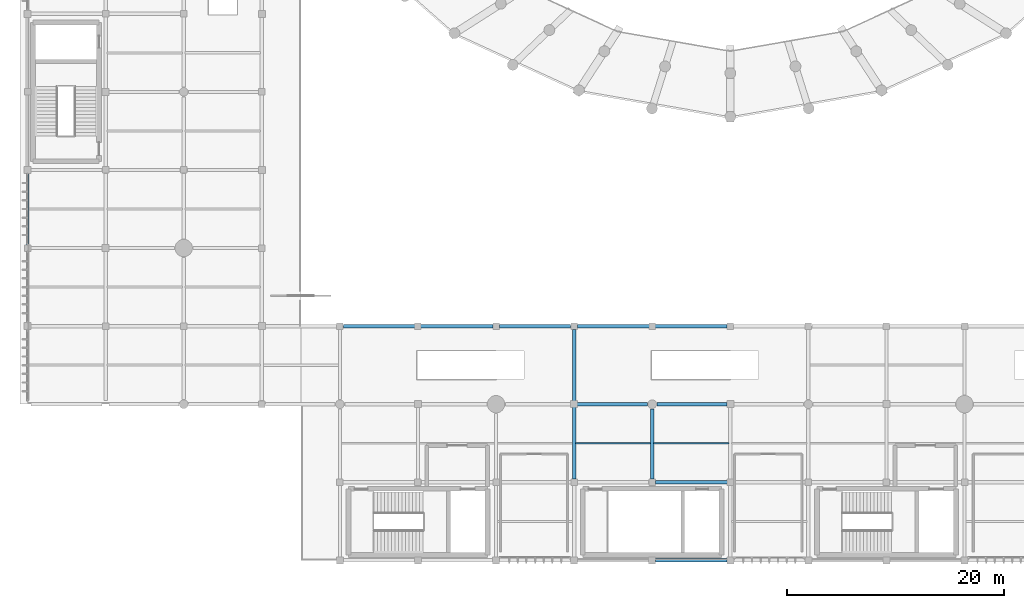
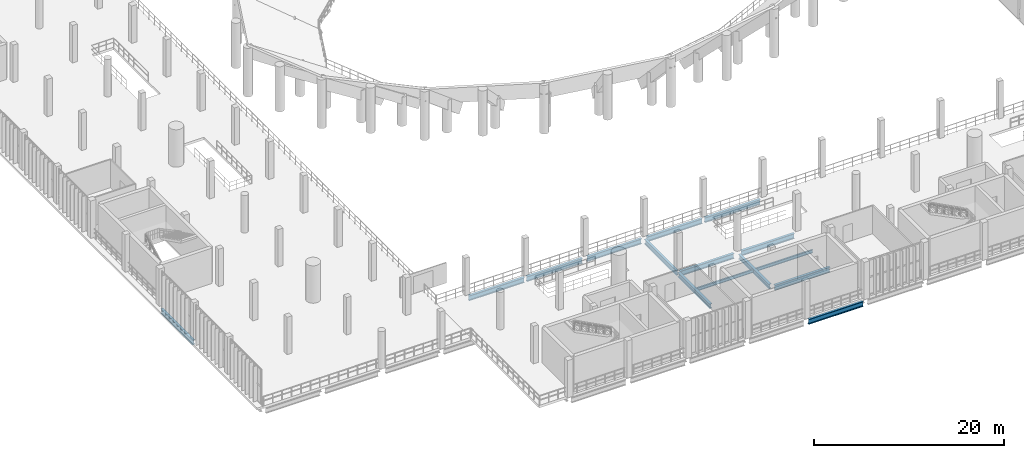
# One storey, part 12 of 105: 15 beams.
"""IFC4 building model written with IfcOpenShell, lengths in metres."""

import ifcopenshell
import ifcopenshell.guid

model = None  # the IFC model being written
_history = None  # IfcOwnerHistory: only IFC2X3 demands one
_inside = {}  # id of a spatial element -> (the spatial element, [elements in it])
_under = {}  # id of a project, library or spatial element -> (it, [spatial elements below it])
_declared = {}  # id of a project -> (the project, [libraries it declares])
_typed = {}  # id of a type object -> (the type object, [elements of that type])
_made_of = {}  # id of a material, layer set ... -> (it, [elements and type objects made of it])


def new_model(schema):
    """Start an empty IFC model of exactly this schema.

    Asked for "IFC4X3", IfcOpenShell would pick the latest addendum, in which some entities
    have other attributes; the version numbers below select the first issue.
    IFC2X3 requires an IfcOwnerHistory on every rooted entity: one is made here for all.
    """
    global model, _history
    if schema == "IFC4X3":
        model = ifcopenshell.file(schema_version=(4, 3, 0, 0))
    else:
        model = ifcopenshell.file(schema=schema)
    _inside.clear()
    _under.clear()
    _declared.clear()
    _typed.clear()
    _made_of.clear()
    _history = None
    if model.schema == "IFC2X3":
        org = make("IfcOrganization", Name="unknown")
        user = make(
            "IfcPersonAndOrganization",
            ThePerson=make("IfcPerson", FamilyName="unknown"),
            TheOrganization=org,
        )
        app = make(
            "IfcApplication",
            ApplicationDeveloper=org,
            Version="unknown",
            ApplicationFullName="unknown",
            ApplicationIdentifier="unknown",
        )
        _history = make(
            "IfcOwnerHistory",
            OwningUser=user,
            OwningApplication=app,
            ChangeAction="ADDED",
            CreationDate=0,
        )
    return model


def make(cls, **values):
    """One entity of the class cls with the attributes given. An attribute that is None is left unset."""
    return model.create_entity(
        cls, **{name: value for name, value in values.items() if value is not None}
    )


def rooted(cls, **values):
    """An entity with a GlobalId (a new one), such as an element, a storey or a relation."""
    return make(cls, GlobalId=ifcopenshell.guid.new(), OwnerHistory=_history, **values)


def si_unit(unit_type, name, prefix=None):
    """IfcSIUnit, for example si_unit("LENGTHUNIT", "METRE", prefix="MILLI")."""
    return make("IfcSIUnit", UnitType=unit_type, Prefix=prefix, Name=name)


def assignment(units):
    """IfcUnitAssignment: the units of a project."""
    return None if units is None else make("IfcUnitAssignment", Units=units)


def point(xyz):
    """IfcCartesianPoint."""
    return None if xyz is None else make("IfcCartesianPoint", Coordinates=xyz)


def direction(xyz):
    """IfcDirection."""
    return None if xyz is None else make("IfcDirection", DirectionRatios=xyz)


def frame(location, z_axis=None, x_axis=None):
    """IfcAxis2Placement3D, a coordinate frame: its origin and axes. An axis left out is left unset."""
    return make(
        "IfcAxis2Placement3D",
        Location=point(location),
        Axis=direction(z_axis),
        RefDirection=direction(x_axis),
    )


def frame_2d(location, x_axis=None):
    """IfcAxis2Placement2D, a coordinate frame in the plane: its origin and x axis."""
    return make(
        "IfcAxis2Placement2D", Location=point(location), RefDirection=direction(x_axis)
    )


def origin():
    """The frame at (0, 0, 0) with its axes left unset."""
    return frame((0.0, 0.0, 0.0))


def origin_2d():
    """The frame at (0, 0) in the plane with its x axis left unset."""
    return frame_2d((0.0, 0.0))


def place(relative_to, where):
    """IfcLocalPlacement: puts the frame where relative to a parent placement (None: the world)."""
    return make(
        "IfcLocalPlacement", PlacementRelTo=relative_to, RelativePlacement=where
    )


def context(
    kind, dimensions, precision=None, world=None, true_north=None, identifier=None
):
    """IfcGeometricRepresentationContext, for example the 3D "Model" context."""
    return make(
        "IfcGeometricRepresentationContext",
        ContextIdentifier=identifier,
        ContextType=kind,
        CoordinateSpaceDimension=dimensions,
        Precision=precision,
        WorldCoordinateSystem=world,
        TrueNorth=true_north,
    )


def subcontext(parent, identifier, kind, view, scale=None):
    """IfcGeometricRepresentationSubContext, for example "Body" below "Model"."""
    return make(
        "IfcGeometricRepresentationSubContext",
        ContextIdentifier=identifier,
        ContextType=kind,
        ParentContext=parent,
        TargetScale=scale,
        TargetView=view,
    )


def project(units=None, contexts=None):
    """IfcProject with its units and contexts."""
    return rooted(
        "IfcProject",
        Name="project",
        RepresentationContexts=contexts,
        UnitsInContext=assignment(units),
    )


def spatial(cls, under=None, at=None, **own):
    """A site, building, storey or space (cls), placed at a placement, below another one or the project."""
    s = rooted(cls, ObjectPlacement=at, **own)
    if under is not None:
        _under.setdefault(under.id(), (under, []))[1].append(s)
    return s


def profile(cls, at=None, kind="AREA", **sizes):
    """A parametric profile (cls). Its sizes go by their IFC names, for example OverallWidth=200.0."""
    return make(cls, ProfileType=kind, Position=at, **sizes)


def i_section(**sizes):
    """IfcIShapeProfileDef."""
    return profile("IfcIShapeProfileDef", **sizes)


def extrude(swept, where, along, depth):
    """IfcExtrudedAreaSolid: the profile swept, set in the frame where, extruded along a direction by depth."""
    return make(
        "IfcExtrudedAreaSolid",
        SweptArea=swept,
        Position=where,
        ExtrudedDirection=direction(along),
        Depth=depth,
    )


def shape(context_of_items, identifier, shape_type, items):
    """IfcShapeRepresentation: the items that make up one representation, for example the "Body"."""
    return make(
        "IfcShapeRepresentation",
        ContextOfItems=context_of_items,
        RepresentationIdentifier=identifier,
        RepresentationType=shape_type,
        Items=items,
    )


def material(Name=None, Category=None):
    """IfcMaterial."""
    return make("IfcMaterial", Name=Name, Category=Category)


def material_profile(
    of_material, cross_section, Name=None, Category=None, Priority=None
):
    """IfcMaterialProfile: a cross section and its material."""
    return make(
        "IfcMaterialProfile",
        Name=Name,
        Material=of_material,
        Profile=cross_section,
        Priority=Priority,
        Category=Category,
    )


def profile_set(profiles, Name=None, composite=None):
    """IfcMaterialProfileSet."""
    return make(
        "IfcMaterialProfileSet",
        Name=Name,
        MaterialProfiles=profiles,
        CompositeProfile=composite,
    )


def made_of(thing, what):
    """Note that an element or type object is made of a material, layer set ...; save() writes the relation."""
    if what is not None:
        _made_of.setdefault(what.id(), (what, []))[1].append(thing)
    return thing


def type_object(cls, material=None, **own):
    """A type object (cls), such as IfcWallType, which elements share."""
    return made_of(rooted(cls, **own), material)


def element(
    cls,
    number,
    at=None,
    inside=None,
    cuts=None,
    type_object=None,
    material=None,
    context=None,
    identifier="Body",
    shape_type=None,
    held_by="IfcProductDefinitionShape",
    body=None,
    shapes=None,
    **own,
):
    """One element of the class cls, such as IfcWall. Its Tag is "e" and its number.

    at: its placement. inside: the storey or other place that contains it. cuts: it is an
    opening in that element (IfcRelVoidsElement). A single representation is given by context,
    identifier, shape_type and body (its items); several are given by shapes. held_by: the class
    of the entity that holds the representations. save() writes the other relations.
    """
    e = rooted(cls, Tag="e%d" % number, ObjectPlacement=at, **own)
    if body is not None:
        shapes = [shape(context, identifier, shape_type, body)]
    if shapes is not None:
        e.Representation = make(held_by, Representations=shapes)
    if inside is not None:
        _inside.setdefault(inside.id(), (inside, []))[1].append(e)
    if cuts is not None:
        rooted(
            "IfcRelVoidsElement", RelatingBuildingElement=cuts, RelatedOpeningElement=e
        )
    if type_object is not None:
        _typed.setdefault(type_object.id(), (type_object, []))[1].append(e)
    return made_of(e, material)


def aggregate(whole, parts):
    """IfcRelAggregates: a whole, such as a stair, and the parts it consists of."""
    return rooted("IfcRelAggregates", RelatingObject=whole, RelatedObjects=parts)


def save(model, path):
    """Write the relations noted so far, then the file.

    IfcRelAggregates (storeys below a building ...), IfcRelContainedInSpatialStructure (elements
    in a storey), IfcRelDefinesByType, IfcRelAssociatesMaterial and IfcRelDeclares: one each for
    every whole, place, type object, material and project.
    """
    for whole, parts in _under.values():
        aggregate(whole, parts)
    for where, things in _inside.values():
        rooted(
            "IfcRelContainedInSpatialStructure",
            RelatedElements=things,
            RelatingStructure=where,
        )
    for kind, things in _typed.values():
        rooted("IfcRelDefinesByType", RelatedObjects=things, RelatingType=kind)
    for what, things in _made_of.values():
        rooted("IfcRelAssociatesMaterial", RelatedObjects=things, RelatingMaterial=what)
    for by, libraries in _declared.values():
        rooted("IfcRelDeclares", RelatingContext=by, RelatedDefinitions=libraries)
    model.write(path)


model = new_model("IFC4")

# Units and contexts
model_context = context("Model", 3, precision=1e-05, world=origin(), true_north=direction((0.0, 1.0)))
body_context = subcontext(model_context, "Body", "Model", "MODEL_VIEW")
ifc_project = project(units=[si_unit("LENGTHUNIT", "METRE"), si_unit("AREAUNIT", "SQUARE_METRE"), si_unit("VOLUMEUNIT", "CUBIC_METRE"), si_unit("PLANEANGLEUNIT", "RADIAN"), si_unit("MASSUNIT", "GRAM", prefix="KILO")], contexts=[model_context])

# Site, building, storey
site_placement = place(None, origin())
site = spatial("IfcSite", under=ifc_project, at=site_placement, CompositionType="ELEMENT")
building_placement = place(site_placement, origin())
building = spatial("IfcBuilding", under=site, at=building_placement, Name="Qandorah Velis Arena", CompositionType="ELEMENT")
storey_placement = place(building_placement, frame((0.0, 0.0, 13.800048828125)))
storey = spatial("IfcBuildingStorey", under=building, at=storey_placement, Name="L03", CompositionType="ELEMENT", Elevation=13.800048828125)

# Beams
ifc_material = material(Name="Steel S355", Category="steel")
ifc_material_profile_1 = material_profile(ifc_material, i_section(OverallWidth=0.300048828125, OverallDepth=0.60009765625, WebThickness=0.015380859375, FlangeThickness=0.030029296875, FilletRadius=0.027099609375, at=origin_2d()), Name="HEB 600")
ifc_profile_set_1 = profile_set([ifc_material_profile_1], Name="Steel S355")
beam_type_1 = type_object("IfcBeamType", Name="STR-BM-HEB600", PredefinedType="BEAM", material=ifc_profile_set_1)
beam_1_placement = place(storey_placement, frame((0.0, 28.949951171875, -0.6201171875), z_axis=(0.0, 1.0, 0.0), x_axis=(-1.0, 0.0, 0.0)))
element("IfcBeam", 1, at=beam_1_placement, inside=storey, type_object=beam_type_1, Name="Primary floor girder L03 Y-180", PredefinedType="BEAM", context=body_context, shape_type="SweptSolid", body=[
    extrude(i_section(OverallWidth=0.300048828125, OverallDepth=0.60009765625, WebThickness=0.015380859375, FlangeThickness=0.030029296875, FilletRadius=0.027099609375, at=origin_2d()), origin(), (0.0, 0.0, 1.0), 6.72509765625),
])
beam_2_placement = place(storey_placement, frame((50.39990234375, 7.5, -0.6201171875), z_axis=(0.0, 1.0, 0.0), x_axis=(-1.0, 0.0, 0.0)))
element("IfcBeam", 2, at=beam_2_placement, inside=storey, type_object=beam_type_1, Name="Primary floor girder L03 Y-247", PredefinedType="BEAM", context=body_context, shape_type="SweptSolid", body=[
    extrude(i_section(OverallWidth=0.300048828125, OverallDepth=0.60009765625, WebThickness=0.015380859375, FlangeThickness=0.030029296875, FilletRadius=0.027099609375, at=origin_2d()), origin(), (0.0, 0.0, 1.0), 6.75),
])
beam_3_placement = place(storey_placement, frame((50.39990234375, 14.550048828125, -0.6201171875), z_axis=(0.0, 1.0, 0.0), x_axis=(-1.0, 0.0, 0.0)))
element("IfcBeam", 3, at=beam_3_placement, inside=storey, type_object=beam_type_1, Name="Primary floor girder L03 Y-248", PredefinedType="BEAM", context=body_context, shape_type="SweptSolid", body=[
    extrude(i_section(OverallWidth=0.300048828125, OverallDepth=0.60009765625, WebThickness=0.015380859375, FlangeThickness=0.030029296875, FilletRadius=0.027099609375, at=origin_2d()), origin(), (0.0, 0.0, 1.0), 6.724853515625),
])
beam_4_placement = place(storey_placement, frame((57.60009765625, 7.52490234375, -0.6201171875), z_axis=(0.0, 1.0, 0.0), x_axis=(-1.0, 0.0, 0.0)))
element("IfcBeam", 4, at=beam_4_placement, inside=storey, type_object=beam_type_1, Name="Primary floor girder L03 Y-252", PredefinedType="BEAM", context=body_context, shape_type="SweptSolid", body=[
    extrude(i_section(OverallWidth=0.300048828125, OverallDepth=0.60009765625, WebThickness=0.015380859375, FlangeThickness=0.030029296875, FilletRadius=0.027099609375, at=origin_2d()), origin(), (0.0, 0.0, 1.0), 6.425048828125),
])
ifc_material_profile_2 = material_profile(ifc_material, i_section(OverallWidth=0.300048828125, OverallDepth=0.64990234375, WebThickness=0.01611328125, FlangeThickness=0.031005859375, FilletRadius=0.027099609375, at=origin_2d()), Name="HEB 650")
ifc_profile_set_2 = profile_set([ifc_material_profile_2], Name="Steel S355")
beam_type_2 = type_object("IfcBeamType", Name="STR-BM-HEB650", PredefinedType="BEAM", material=ifc_profile_set_2)
beam_5_placement = place(storey_placement, frame((57.89990234375, 0.0, -0.64501953125), z_axis=(1.0, 0.0, 0.0), x_axis=(0.0, 1.0, 0.0)))
element("IfcBeam", 5, at=beam_5_placement, inside=storey, type_object=beam_type_2, Name="Primary floor girder L03 X-005", PredefinedType="BEAM", context=body_context, shape_type="SweptSolid", body=[
    extrude(i_section(OverallWidth=0.300048828125, OverallDepth=0.64990234375, WebThickness=0.01611328125, FlangeThickness=0.031005859375, FilletRadius=0.027099609375, at=origin_2d()), origin(), (0.0, 0.0, 1.0), 6.60009765625),
])
beam_6_placement = place(storey_placement, frame((57.925048828125, 7.199951171875, -0.64501953125), z_axis=(1.0, 0.0, 0.0), x_axis=(0.0, 1.0, 0.0)))
element("IfcBeam", 6, at=beam_6_placement, inside=storey, type_object=beam_type_2, Name="Primary floor girder L03 X-017", PredefinedType="BEAM", context=body_context, shape_type="SweptSolid", body=[
    extrude(i_section(OverallWidth=0.300048828125, OverallDepth=0.64990234375, WebThickness=0.01611328125, FlangeThickness=0.031005859375, FilletRadius=0.027099609375, at=origin_2d()), origin(), (0.0, 0.0, 1.0), 6.724853515625),
])
beam_7_placement = place(storey_placement, frame((50.550048828125, 14.39990234375, -0.64501953125), z_axis=(1.0, 0.0, 0.0), x_axis=(0.0, 1.0, 0.0)))
element("IfcBeam", 7, at=beam_7_placement, inside=storey, type_object=beam_type_2, Name="Primary floor girder L03 X-032", PredefinedType="BEAM", context=body_context, shape_type="SweptSolid", body=[
    extrude(i_section(OverallWidth=0.300048828125, OverallDepth=0.64990234375, WebThickness=0.01611328125, FlangeThickness=0.031005859375, FilletRadius=0.027099609375, at=origin_2d()), origin(), (0.0, 0.0, 1.0), 6.599853515625),
])
beam_8_placement = place(storey_placement, frame((58.050048828125, 14.39990234375, -0.64501953125), z_axis=(1.0, 0.0, 0.0), x_axis=(0.0, 1.0, 0.0)))
element("IfcBeam", 8, at=beam_8_placement, inside=storey, type_object=beam_type_2, Name="Primary floor girder L03 X-033", PredefinedType="BEAM", context=body_context, shape_type="SweptSolid", body=[
    extrude(i_section(OverallWidth=0.300048828125, OverallDepth=0.64990234375, WebThickness=0.01611328125, FlangeThickness=0.031005859375, FilletRadius=0.027099609375, at=origin_2d()), origin(), (0.0, 0.0, 1.0), 6.425048828125),
])
beam_9_placement = place(storey_placement, frame((29.125, 21.60009765625, -0.64501953125), z_axis=(1.0, 0.0, 0.0), x_axis=(0.0, 1.0, 0.0)))
element("IfcBeam", 9, at=beam_9_placement, inside=storey, type_object=beam_type_2, Name="Primary floor girder L03 X-045", PredefinedType="BEAM", context=body_context, shape_type="SweptSolid", body=[
    extrude(i_section(OverallWidth=0.300048828125, OverallDepth=0.64990234375, WebThickness=0.01611328125, FlangeThickness=0.031005859375, FilletRadius=0.027099609375, at=origin_2d()), origin(), (0.0, 0.0, 1.0), 6.72509765625),
])
beam_10_placement = place(storey_placement, frame((36.14990234375, 21.60009765625, -0.64501953125), z_axis=(1.0, 0.0, 0.0), x_axis=(0.0, 1.0, 0.0)))
element("IfcBeam", 10, at=beam_10_placement, inside=storey, type_object=beam_type_2, Name="Primary floor girder L03 X-046", PredefinedType="BEAM", context=body_context, shape_type="SweptSolid", body=[
    extrude(i_section(OverallWidth=0.300048828125, OverallDepth=0.64990234375, WebThickness=0.01611328125, FlangeThickness=0.031005859375, FilletRadius=0.027099609375, at=origin_2d()), origin(), (0.0, 0.0, 1.0), 6.75),
])
beam_11_placement = place(storey_placement, frame((43.5, 21.60009765625, -0.64501953125), z_axis=(1.0, 0.0, 0.0), x_axis=(0.0, 1.0, 0.0)))
element("IfcBeam", 11, at=beam_11_placement, inside=storey, type_object=beam_type_2, Name="Primary floor girder L03 X-047", PredefinedType="BEAM", context=body_context, shape_type="SweptSolid", body=[
    extrude(i_section(OverallWidth=0.300048828125, OverallDepth=0.64990234375, WebThickness=0.01611328125, FlangeThickness=0.031005859375, FilletRadius=0.027099609375, at=origin_2d()), origin(), (0.0, 0.0, 1.0), 6.574951171875),
])
beam_12_placement = place(storey_placement, frame((50.72509765625, 21.60009765625, -0.64501953125), z_axis=(1.0, 0.0, 0.0), x_axis=(0.0, 1.0, 0.0)))
element("IfcBeam", 12, at=beam_12_placement, inside=storey, type_object=beam_type_2, Name="Primary floor girder L03 X-048", PredefinedType="BEAM", context=body_context, shape_type="SweptSolid", body=[
    extrude(i_section(OverallWidth=0.300048828125, OverallDepth=0.64990234375, WebThickness=0.01611328125, FlangeThickness=0.031005859375, FilletRadius=0.027099609375, at=origin_2d()), origin(), (0.0, 0.0, 1.0), 6.724853515625),
])
beam_13_placement = place(storey_placement, frame((57.75, 21.60009765625, -0.64501953125), z_axis=(1.0, 0.0, 0.0), x_axis=(0.0, 1.0, 0.0)))
element("IfcBeam", 13, at=beam_13_placement, inside=storey, type_object=beam_type_2, Name="Primary floor girder L03 X-049", PredefinedType="BEAM", context=body_context, shape_type="SweptSolid", body=[
    extrude(i_section(OverallWidth=0.300048828125, OverallDepth=0.64990234375, WebThickness=0.01611328125, FlangeThickness=0.031005859375, FilletRadius=0.027099609375, at=origin_2d()), origin(), (0.0, 0.0, 1.0), 6.75),
])
ifc_material_profile_3 = material_profile(ifc_material, i_section(OverallWidth=0.179931640625, OverallDepth=0.39990234375, WebThickness=0.008544921875, FlangeThickness=0.013427734375, FilletRadius=0.02099609375, at=origin_2d()), Name="IPE 400")
ifc_profile_set_3 = profile_set([ifc_material_profile_3], Name="Steel S355")
beam_type_3 = type_object("IfcBeamType", Name="STR-JST-IPE400", PredefinedType="JOIST", material=ifc_profile_set_3)
beam_14_placement = place(storey_placement, frame((50.534912109375, 10.800048828125, -0.52001953125), z_axis=(1.0, 0.0, 0.0), x_axis=(0.0, 1.0, 0.0)))
element("IfcBeam", 14, at=beam_14_placement, inside=storey, type_object=beam_type_3, Name="Secondary floor joist L03-047", PredefinedType="JOIST", context=body_context, shape_type="SweptSolid", body=[
    extrude(i_section(OverallWidth=0.179931640625, OverallDepth=0.39990234375, WebThickness=0.008544921875, FlangeThickness=0.013427734375, FilletRadius=0.02099609375, at=origin_2d()), origin(), (0.0, 0.0, 1.0), 6.93017578125),
])
beam_15_placement = place(storey_placement, frame((57.735107421875, 10.800048828125, -0.52001953125), z_axis=(1.0, 0.0, 0.0), x_axis=(0.0, 1.0, 0.0)))
element("IfcBeam", 15, at=beam_15_placement, inside=storey, type_object=beam_type_3, Name="Secondary floor joist L03-049", PredefinedType="JOIST", context=body_context, shape_type="SweptSolid", body=[
    extrude(i_section(OverallWidth=0.179931640625, OverallDepth=0.39990234375, WebThickness=0.008544921875, FlangeThickness=0.013427734375, FilletRadius=0.02099609375, at=origin_2d()), origin(), (0.0, 0.0, 1.0), 6.929931640625),
])

save(model, "model.ifc")
